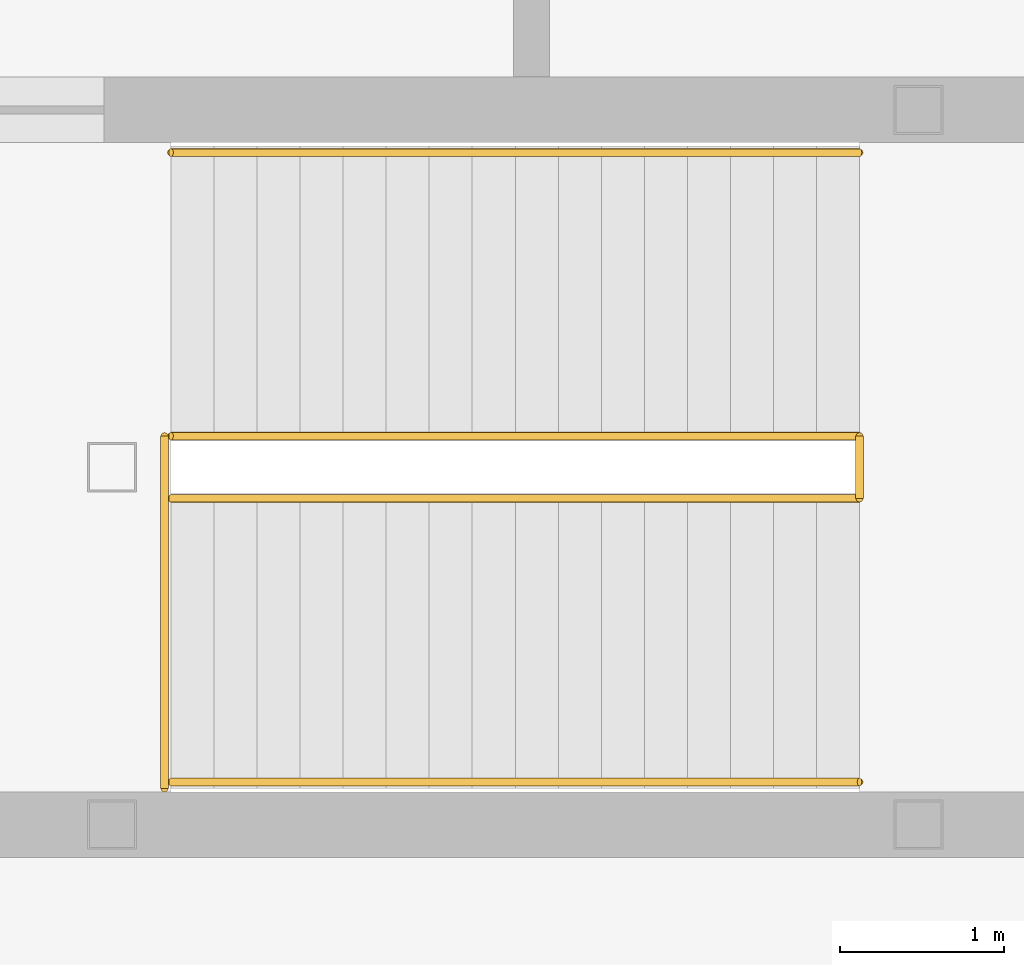
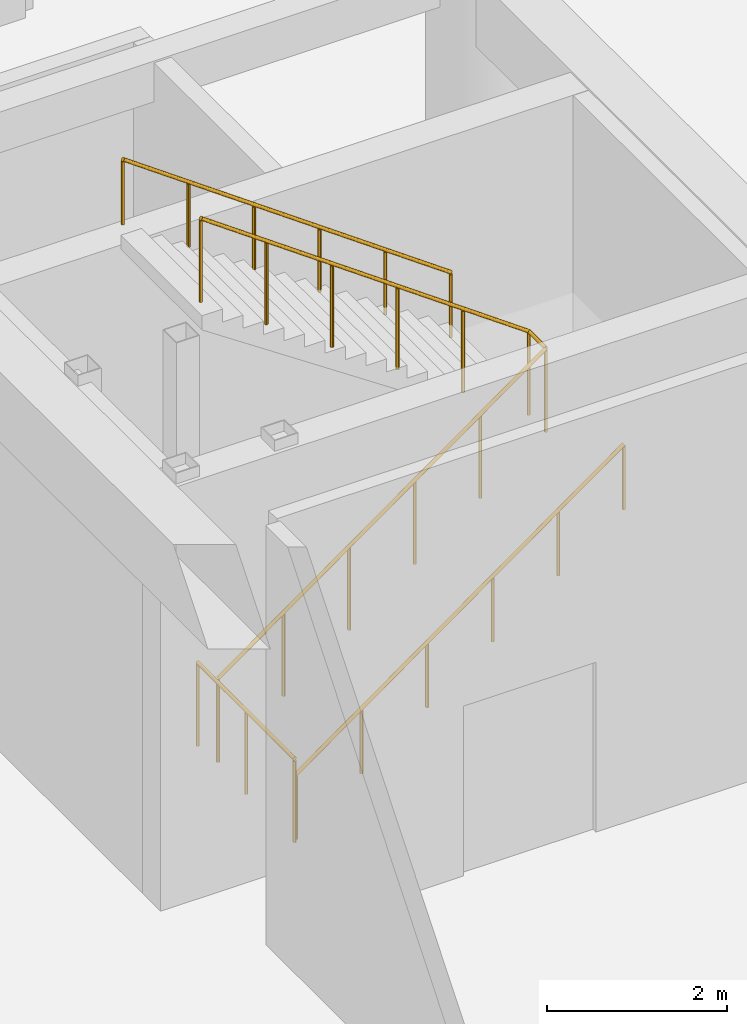
# One storey, part 76 of 76: 6 railings.
"""IFC4 building model written with IfcOpenShell, lengths in metres."""

from ifc_helpers import new_model, si_unit, direction, frame, origin, origin_2d, place, context, subcontext, project, spatial, circle, extrude, material, layer, layer_set, type_object, element, save


model = new_model("IFC4")

# Units and contexts
model_context = context("Model", 3, precision=1e-05, world=origin(), true_north=direction((0.0, 1.0)))
body_context = subcontext(model_context, "Body", "Model", "MODEL_VIEW")
ifc_project = project(units=[si_unit("LENGTHUNIT", "METRE"), si_unit("AREAUNIT", "SQUARE_METRE"), si_unit("VOLUMEUNIT", "CUBIC_METRE"), si_unit("PLANEANGLEUNIT", "RADIAN"), si_unit("MASSUNIT", "GRAM", prefix="KILO")], contexts=[model_context])

# Site, building, storey
site_placement = place(None, origin())
site = spatial("IfcSite", under=ifc_project, at=site_placement, CompositionType="ELEMENT")
building_placement = place(site_placement, origin())
building = spatial("IfcBuilding", under=site, at=building_placement, Name="Naruveol Harbour Congress Hotel", CompositionType="ELEMENT")
storey_placement = place(building_placement, origin())
storey = spatial("IfcBuildingStorey", under=building, at=storey_placement, Name="L00", CompositionType="ELEMENT", Elevation=0.0)

# Railings
ifc_material_1 = material(Name="Stainless Steel 304", Category="steel")
ifc_layer_1 = layer(ifc_material_1, 0.0419921875)
ifc_layer_set_1 = layer_set([ifc_layer_1], Name="Stainless Steel 304")
railing_type_1 = type_object("IfcRailingType", Name="STAIR WALL MOUNTED HANDRAIL 900", PredefinedType="HANDRAIL", material=ifc_layer_set_1)
railing_1_placement = place(storey_placement, frame((170.10009765625, 25.06005859375, 0.0)))
element("IfcRailing", 1, at=railing_1_placement, inside=storey, type_object=railing_type_1, Name="Stair ST4 L00 lower wall handrail", PredefinedType="HANDRAIL", context=body_context, shape_type="SweptSolid", body=[
    extrude(circle(Radius=0.02392578125, at=origin_2d()), frame((0.0, 0.0, 0.8759765625), z_axis=(0.813730275137, 0.0, 0.581242668191), x_axis=(0.0, 1.0, 0.0)), (0.0, 0.0, 1.0), 5.161376953125),
    extrude(circle(Radius=0.02099609375, at=origin_2d()), origin(), (0.0, 0.0, 1.0), 0.851806640625),
    extrude(circle(Radius=0.02099609375, at=origin_2d()), frame((0.840087890625, 0.0, 0.60009765625)), (0.0, 0.0, 1.0), 0.851806640625),
    extrude(circle(Radius=0.02099609375, at=origin_2d()), frame((1.679931640625, 0.0, 1.199951171875)), (0.0, 0.0, 1.0), 0.851806640625),
    extrude(circle(Radius=0.02099609375, at=origin_2d()), frame((2.52001953125, 0.0, 1.800048828125)), (0.0, 0.0, 1.0), 0.851806640625),
    extrude(circle(Radius=0.02099609375, at=origin_2d()), frame((3.35986328125, 0.0, 2.39990234375)), (0.0, 0.0, 1.0), 0.851806640625),
    extrude(circle(Radius=0.02099609375, at=origin_2d()), frame((4.199951171875, 0.0, 3.0)), (0.0, 0.0, 1.0), 0.851806640625),
])
railing_2_placement = place(storey_placement, frame((174.300048828125, 28.89990234375, 3.0)))
element("IfcRailing", 2, at=railing_2_placement, inside=storey, type_object=railing_type_1, Name="Stair ST4 L00 upper wall handrail", PredefinedType="HANDRAIL", context=body_context, shape_type="SweptSolid", body=[
    extrude(circle(Radius=0.02392578125, at=origin_2d()), frame((0.0, 0.0, 0.8759765625), z_axis=(-0.813730275137, 0.0, 0.581242668191), x_axis=(0.0, -1.0, 0.0)), (0.0, 0.0, 1.0), 5.161376953125),
    extrude(circle(Radius=0.02099609375, at=origin_2d()), origin(), (0.0, 0.0, 1.0), 0.851806640625),
    extrude(circle(Radius=0.02099609375, at=origin_2d()), frame((-0.840087890625, 0.0, 0.60009765625)), (0.0, 0.0, 1.0), 0.851806640625),
    extrude(circle(Radius=0.02099609375, at=origin_2d()), frame((-1.679931640625, 0.0, 1.199951171875)), (0.0, 0.0, 1.0), 0.851806640625),
    extrude(circle(Radius=0.02099609375, at=origin_2d()), frame((-2.52001953125, 0.0, 1.800048828125)), (0.0, 0.0, 1.0), 0.851806640625),
    extrude(circle(Radius=0.02099609375, at=origin_2d()), frame((-3.35986328125, 0.0, 2.39990234375)), (0.0, 0.0, 1.0), 0.851806640625),
    extrude(circle(Radius=0.02099609375, at=origin_2d()), frame((-4.199951171875, 0.0, 3.0)), (0.0, 0.0, 1.0), 0.851806640625),
])
ifc_material_2 = material(Name="Steel SN490", Category="steel")
ifc_layer_2 = layer(ifc_material_2, 0.044921875)
ifc_layer_set_2 = layer_set([ifc_layer_2], Name="Steel SN490")
railing_type_2 = type_object("IfcRailingType", Name="STAIRWELL STEEL GUARDRAIL 1150", PredefinedType="GUARDRAIL", material=ifc_layer_set_2)
railing_3_placement = place(storey_placement, frame((170.10009765625, 26.7900390625, 0.0)))
element("IfcRailing", 3, at=railing_3_placement, inside=storey, type_object=railing_type_2, Name="Stair ST4 L00 lower well guard", PredefinedType="GUARDRAIL", context=body_context, shape_type="SweptSolid", body=[
    extrude(circle(Radius=0.02392578125, at=origin_2d()), frame((0.0, 0.0, 1.1259765625), z_axis=(0.813730275137, 0.0, 0.581242668191), x_axis=(0.0, 1.0, 0.0)), (0.0, 0.0, 1.0), 5.161376953125),
    extrude(circle(Radius=0.02099609375, at=origin_2d()), origin(), (0.0, 0.0, 1.0), 1.101806640625),
    extrude(circle(Radius=0.02099609375, at=origin_2d()), frame((0.840087890625, 0.0, 0.60009765625)), (0.0, 0.0, 1.0), 1.101806640625),
    extrude(circle(Radius=0.02099609375, at=origin_2d()), frame((1.679931640625, 0.0, 1.199951171875)), (0.0, 0.0, 1.0), 1.101806640625),
    extrude(circle(Radius=0.02099609375, at=origin_2d()), frame((2.52001953125, 0.0, 1.800048828125)), (0.0, 0.0, 1.0), 1.101806640625),
    extrude(circle(Radius=0.02099609375, at=origin_2d()), frame((3.35986328125, 0.0, 2.39990234375)), (0.0, 0.0, 1.0), 1.101806640625),
    extrude(circle(Radius=0.02099609375, at=origin_2d()), frame((4.199951171875, 0.0, 3.0)), (0.0, 0.0, 1.0), 1.101806640625),
])
railing_4_placement = place(storey_placement, frame((174.300048828125, 26.7900390625, 3.0)))
element("IfcRailing", 4, at=railing_4_placement, inside=storey, type_object=railing_type_2, Name="Stair ST4 L00 half-landing slot guard", PredefinedType="GUARDRAIL", context=body_context, shape_type="SweptSolid", body=[
    extrude(circle(Radius=0.02392578125, at=origin_2d()), frame((0.0, 0.0, 1.1259765625), z_axis=(0.0, 1.0, 0.0), x_axis=(-1.0, 0.0, 0.0)), (0.0, 0.0, 1.0), 0.3798828125),
    extrude(circle(Radius=0.02099609375, at=origin_2d()), origin(), (0.0, 0.0, 1.0), 1.101806640625),
    extrude(circle(Radius=0.02099609375, at=origin_2d()), frame((0.0, 0.3798828125, 0.0)), (0.0, 0.0, 1.0), 1.101806640625),
])
railing_5_placement = place(storey_placement, frame((174.300048828125, 27.169921875, 3.0)))
element("IfcRailing", 5, at=railing_5_placement, inside=storey, type_object=railing_type_2, Name="Stair ST4 L00 upper well guard", PredefinedType="GUARDRAIL", context=body_context, shape_type="SweptSolid", body=[
    extrude(circle(Radius=0.02392578125, at=origin_2d()), frame((0.0, 0.0, 1.1259765625), z_axis=(-0.813730275137, 0.0, 0.581242668191), x_axis=(0.0, -1.0, 0.0)), (0.0, 0.0, 1.0), 5.161376953125),
    extrude(circle(Radius=0.02099609375, at=origin_2d()), origin(), (0.0, 0.0, 1.0), 1.101806640625),
    extrude(circle(Radius=0.02099609375, at=origin_2d()), frame((-0.840087890625, 0.0, 0.60009765625)), (0.0, 0.0, 1.0), 1.101806640625),
    extrude(circle(Radius=0.02099609375, at=origin_2d()), frame((-1.679931640625, 0.0, 1.199951171875)), (0.0, 0.0, 1.0), 1.101806640625),
    extrude(circle(Radius=0.02099609375, at=origin_2d()), frame((-2.52001953125, 0.0, 1.800048828125)), (0.0, 0.0, 1.0), 1.101806640625),
    extrude(circle(Radius=0.02099609375, at=origin_2d()), frame((-3.35986328125, 0.0, 2.39990234375)), (0.0, 0.0, 1.0), 1.101806640625),
    extrude(circle(Radius=0.02099609375, at=origin_2d()), frame((-4.199951171875, 0.0, 3.0)), (0.0, 0.0, 1.0), 1.101806640625),
])
railing_6_placement = place(storey_placement, frame((170.06005859375, 25.02001953125, 0.0)))
element("IfcRailing", 6, at=railing_6_placement, inside=storey, type_object=railing_type_2, Name="Stair ST4 L00 landing well guard", PredefinedType="GUARDRAIL", context=body_context, shape_type="SweptSolid", body=[
    extrude(circle(Radius=0.02392578125, at=origin_2d()), frame((0.0, 0.0, 1.1259765625), z_axis=(0.0, 1.0, 0.0), x_axis=(-1.0, 0.0, 0.0)), (0.0, 0.0, 1.0), 2.14990234375),
    extrude(circle(Radius=0.02099609375, at=origin_2d()), origin(), (0.0, 0.0, 1.0), 1.101806640625),
    extrude(circle(Radius=0.02099609375, at=origin_2d()), frame((0.0, 1.074951171875, 0.0)), (0.0, 0.0, 1.0), 1.101806640625),
    extrude(circle(Radius=0.02099609375, at=origin_2d()), frame((0.0, 2.14990234375, 0.0)), (0.0, 0.0, 1.0), 1.101806640625),
])

save(model, "model.ifc")
